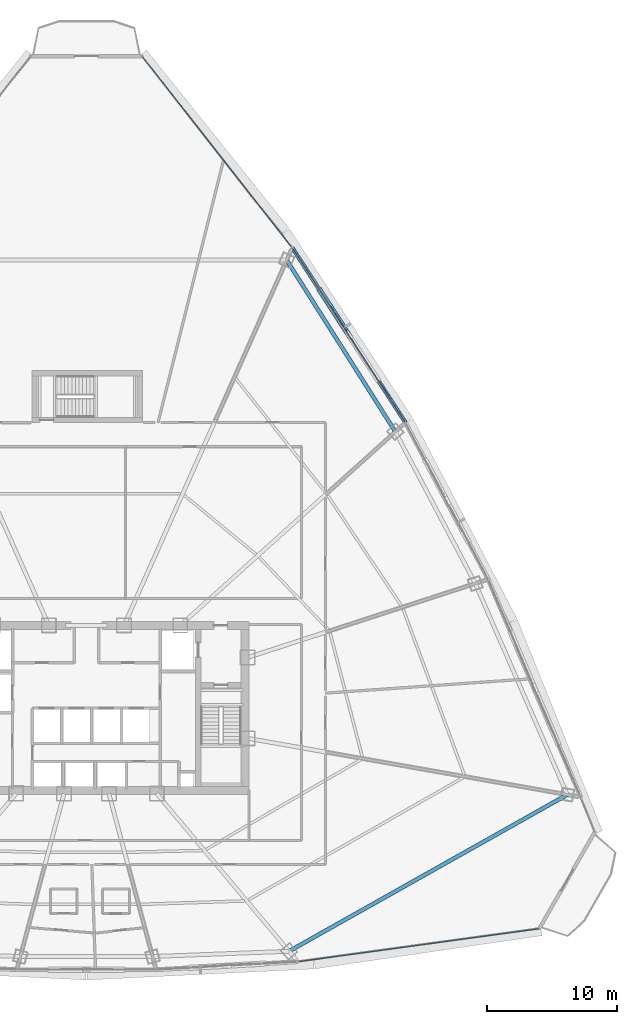
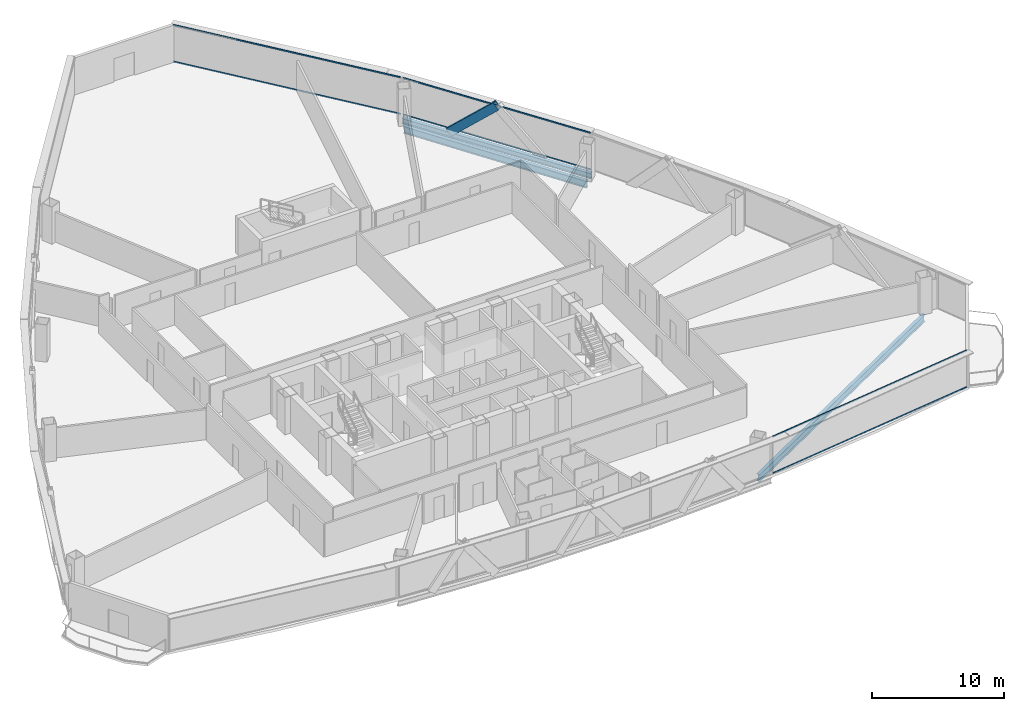
# One storey, part 23 of 39: 7 members, 3 beams, 3 elements without a shape of their own.
"""IFC4 building model written with IfcOpenShell, lengths in metres."""

from ifc_helpers import new_model, si_unit, direction, frame, origin, origin_2d, place, context, subcontext, project, spatial, hollow_rectangle, i_section, extrude, source, transform, mapped, material, layer, layer_set, material_profile, profile_set, type_object, element, aggregate, save


model = new_model("IFC4")

# Units and contexts
model_context = context("Model", 3, precision=1e-05, world=origin(), true_north=direction((0.0, 1.0)))
body_context = subcontext(model_context, "Body", "Model", "MODEL_VIEW")
ifc_project = project(units=[si_unit("LENGTHUNIT", "METRE"), si_unit("AREAUNIT", "SQUARE_METRE"), si_unit("VOLUMEUNIT", "CUBIC_METRE"), si_unit("PLANEANGLEUNIT", "RADIAN"), si_unit("MASSUNIT", "GRAM", prefix="KILO"), si_unit("THERMODYNAMICTEMPERATUREUNIT", "KELVIN"), si_unit("POWERUNIT", "WATT")], contexts=[model_context])

# Site, building, storey
site_placement = place(None, origin())
site = spatial("IfcSite", under=ifc_project, at=site_placement, CompositionType="ELEMENT")
building_placement = place(site_placement, origin())
building = spatial("IfcBuilding", under=site, at=building_placement, Name="Yunzhuo Pagoda Commons", CompositionType="ELEMENT")
storey_placement = place(building_placement, frame((0.0, 0.0, 162.949951171875)))
storey = spatial("IfcBuildingStorey", under=building, at=storey_placement, Name="L41", CompositionType="ELEMENT", Elevation=162.949951171875)

# Beams
ifc_material_1 = material(Name="Structural steel Q355B", Category="steel")
ifc_material_profile_1 = material_profile(ifc_material_1, i_section(OverallWidth=0.300048828125, OverallDepth=0.64990234375, WebThickness=0.012939453125, FlangeThickness=0.02197265625, at=origin_2d()), Name="Structural steel Q355B")
ifc_profile_set_1 = profile_set([ifc_material_profile_1], Name="Structural steel Q355B")
beam_type_1 = type_object("IfcBeamType", Name="B-RG2 Beam HN 650x300x13x22", PredefinedType="BEAM", material=ifc_profile_set_1)
shared_shape_1 = source(origin(), body_context, "Body", "SweptSolid", [
    extrude(i_section(OverallWidth=0.300048828125, OverallDepth=0.64990234375, WebThickness=0.012939453125, FlangeThickness=0.02197265625, at=origin_2d()), origin(), (0.0, 0.0, 1.0), 24.56982421875),
])
beam_1_placement = place(storey_placement, frame((63.585205078125, 15.126220703125, -0.5849609375), z_axis=(0.871469103633, 0.490450406681, 0.0), x_axis=(-0.490450406681, 0.871469103633, 0.0)))
element("IfcBeam", 1, at=beam_1_placement, inside=storey, type_object=beam_type_1, Name="L41 column-ring beam 4", PredefinedType="BEAM", context=body_context, shape_type="MappedRepresentation", body=[
    mapped(shared_shape_1, transform((0.0, 0.0, 0.0), scale=1.0)),
])
shared_shape_2 = source(origin(), body_context, "Body", "SweptSolid", [
    extrude(i_section(OverallWidth=0.300048828125, OverallDepth=0.64990234375, WebThickness=0.012939453125, FlangeThickness=0.02197265625, at=origin_2d()), origin(), (0.0, 0.0, 1.0), 15.627685546875),
])
beam_2_placement = place(storey_placement, frame((71.76611328125, 55.09912109375, -0.5849609375), z_axis=(-0.534952471728, 0.844882153316, 0.0), x_axis=(-0.844882153316, -0.534952471728, 0.0)))
element("IfcBeam", 2, at=beam_2_placement, inside=storey, type_object=beam_type_1, Name="L41 column-ring beam 7", PredefinedType="BEAM", context=body_context, shape_type="MappedRepresentation", body=[
    mapped(shared_shape_2, transform((0.0, 0.0, 0.0), scale=1.0)),
])
ifc_material_profile_2 = material_profile(ifc_material_1, i_section(OverallWidth=0.300048828125, OverallDepth=0.488037109375, WebThickness=0.010986328125, FlangeThickness=0.01806640625, at=origin_2d()), Name="Structural steel Q355B")
ifc_profile_set_2 = profile_set([ifc_material_profile_2], Name="Structural steel Q355B")
beam_type_2 = type_object("IfcBeamType", Name="B-SP1 Beam HM 488x300x11x18", PredefinedType="BEAM", material=ifc_profile_set_2)
shared_shape_3 = source(origin(), body_context, "Body", "SweptSolid", [
    extrude(i_section(OverallWidth=0.300048828125, OverallDepth=0.488037109375, WebThickness=0.010986328125, FlangeThickness=0.01806640625, at=origin_2d()), origin(), (0.0, 0.0, 1.0), 16.0341796875),
])
beam_3_placement = place(storey_placement, frame((72.54638671875, 55.8017578125, -0.50390625), z_axis=(-0.543409101482, 0.83946801513, 0.0), x_axis=(-0.83946801513, -0.543409101482, 0.0)))
element("IfcBeam", 3, at=beam_3_placement, inside=storey, type_object=beam_type_2, Name="L41 facade edge spandrel beam F2.3", PredefinedType="BEAM", context=body_context, shape_type="MappedRepresentation", body=[
    mapped(shared_shape_3, transform((0.0, 0.0, 0.0), scale=1.0)),
])

# Member
ifc_material_profile_3 = material_profile(ifc_material_1, hollow_rectangle(XDim=0.39990234375, YDim=0.719970703125, WallThickness=0.02392578125, at=origin_2d()), Name="Structural steel Q355B")
ifc_profile_set_3 = profile_set([ifc_material_profile_3], Name="Structural steel Q355B")
member_type_1 = type_object("IfcMemberType", Name="M-DL2 Brace BOX 720x400x24", PredefinedType="BRACE", material=ifc_profile_set_3)
shared_shape_4 = source(origin(), body_context, "Body", "SweptSolid", [
    extrude(hollow_rectangle(XDim=0.39990234375, YDim=0.719970703125, WallThickness=0.02392578125, at=origin_2d()), origin(), (0.0, 0.0, 1.0), 5.44189453125),
])
member_1_placement = place(storey_placement, frame((66.011474609375, 65.89697265625, -0.260009765625), z_axis=(0.400276383082, -0.618405028514, 0.676279555994), x_axis=(0.839488448366, 0.543377534556, 0.0)))
element("IfcMember", 4, at=member_1_placement, inside=storey, type_object=member_type_1, Name="L41 facade diamond brace F2.3R", PredefinedType="BRACE", context=body_context, shape_type="MappedRepresentation", body=[
    mapped(shared_shape_4, transform((0.0, 0.0, 0.0), scale=1.0)),
])

# Curtain wall, members
ifc_material_2 = material(Name="Anodized aluminium 6063-T6", Category="aluminium")
ifc_layer = layer(ifc_material_2, 0.14990234375)
ifc_layer_set = layer_set([ifc_layer], Name="Anodized aluminium 6063-T6")
curtain_wall_type = type_object("IfcCurtainWallType", Name="CW-MID Mid-Zone Ribbon Curtain Wall", PredefinedType="NOTDEFINED", material=ifc_layer_set)
curtain_wall_1_placement = place(storey_placement, origin())
curtain_wall_1 = element("IfcCurtainWall", 5, at=curtain_wall_1_placement, inside=storey, type_object=curtain_wall_type, Name="L41 curtain wall CW-L41-F1B5", PredefinedType="NOTDEFINED")
ifc_material_profile_4 = material_profile(ifc_material_2, hollow_rectangle(XDim=0.054931640625, YDim=0.1298828125, WallThickness=0.00341796875, at=origin_2d()), Name="Anodized aluminium 6063-T6")
ifc_profile_set_4 = profile_set([ifc_material_profile_4], Name="Anodized aluminium 6063-T6")
member_type_2 = type_object("IfcMemberType", Name="CW-MID-T Transom RHS 130x55x3.5", PredefinedType="USERDEFINED", material=ifc_profile_set_4)
shared_shape_5 = source(origin(), body_context, "Body", "SweptSolid", [
    extrude(hollow_rectangle(XDim=0.054931640625, YDim=0.1298828125, WallThickness=0.00341796875, at=origin_2d()), origin(), (0.0, 0.0, 1.0), 18.559814453125),
])
member_2_placement = place(storey_placement, frame((64.393798828125, 14.34033203125, 0.027587890625), z_axis=(0.990741021936, 0.135765339663, 0.0), x_axis=(-0.135765339663, 0.990741021936, 0.0)))
member_2 = element("IfcMember", 6, at=member_2_placement, type_object=member_type_2, Name="CW transom 1.1", ObjectType="TRANSOM", PredefinedType="USERDEFINED", context=body_context, shape_type="MappedRepresentation", body=[
    mapped(shared_shape_5, transform((0.0, 0.0, 0.0), scale=1.0)),
])
member_3_placement = place(storey_placement, frame((64.393798828125, 14.34033203125, 3.392578125), z_axis=(0.990741021936, 0.135765339663, 0.0), x_axis=(-0.135765339663, 0.990741021936, 0.0)))
member_3 = element("IfcMember", 7, at=member_3_placement, type_object=member_type_2, Name="CW transom 1.2", ObjectType="TRANSOM", PredefinedType="USERDEFINED", context=body_context, shape_type="MappedRepresentation", body=[
    mapped(shared_shape_5, transform((0.0, 0.0, 0.0), scale=1.0)),
])
aggregate(curtain_wall_1, [member_2, member_3])

curtain_wall_2_placement = place(storey_placement, origin())
curtain_wall_2 = element("IfcCurtainWall", 8, at=curtain_wall_2_placement, inside=storey, type_object=curtain_wall_type, Name="L41 curtain wall CW-L41-F2B4", PredefinedType="NOTDEFINED")
shared_shape_6 = source(origin(), body_context, "Body", "SweptSolid", [
    extrude(hollow_rectangle(XDim=0.054931640625, YDim=0.1298828125, WallThickness=0.00341796875, at=origin_2d()), origin(), (0.0, 0.0, 1.0), 15.914306640625),
])
member_4_placement = place(storey_placement, frame((72.513916015625, 55.85205078125, 0.027587890625), z_axis=(-0.543423646974, 0.839458599283, 0.0), x_axis=(-0.839458599283, -0.543423646974, 0.0)))
member_4 = element("IfcMember", 9, at=member_4_placement, type_object=member_type_2, Name="CW transom 1.1", ObjectType="TRANSOM", PredefinedType="USERDEFINED", context=body_context, shape_type="MappedRepresentation", body=[
    mapped(shared_shape_6, transform((0.0, 0.0, 0.0), scale=1.0)),
])
member_5_placement = place(storey_placement, frame((72.513916015625, 55.85205078125, 3.392578125), z_axis=(-0.543423646974, 0.839458599283, 0.0), x_axis=(-0.839458599283, -0.543423646974, 0.0)))
member_5 = element("IfcMember", 10, at=member_5_placement, type_object=member_type_2, Name="CW transom 1.2", ObjectType="TRANSOM", PredefinedType="USERDEFINED", context=body_context, shape_type="MappedRepresentation", body=[
    mapped(shared_shape_6, transform((0.0, 0.0, 0.0), scale=1.0)),
])
aggregate(curtain_wall_2, [member_4, member_5])

curtain_wall_3_placement = place(storey_placement, origin())
curtain_wall_3 = element("IfcCurtainWall", 11, at=curtain_wall_3_placement, inside=storey, type_object=curtain_wall_type, Name="L41 curtain wall CW-L41-F2B5", PredefinedType="NOTDEFINED")
shared_shape_7 = source(origin(), body_context, "Body", "SweptSolid", [
    extrude(hollow_rectangle(XDim=0.054931640625, YDim=0.1298828125, WallThickness=0.00341796875, at=origin_2d()), origin(), (0.0, 0.0, 1.0), 18.532470703125),
])
member_6_placement = place(storey_placement, frame((63.749755859375, 69.3681640625, 0.027587890625), z_axis=(-0.617131299071, 0.786860190699, 0.0), x_axis=(-0.786860190699, -0.617131299071, 0.0)))
member_6 = element("IfcMember", 12, at=member_6_placement, type_object=member_type_2, Name="CW transom 1.1", ObjectType="TRANSOM", PredefinedType="USERDEFINED", context=body_context, shape_type="MappedRepresentation", body=[
    mapped(shared_shape_7, transform((0.0, 0.0, 0.0), scale=1.0)),
])
member_7_placement = place(storey_placement, frame((63.749755859375, 69.3681640625, 3.392578125), z_axis=(-0.617131299071, 0.786860190699, 0.0), x_axis=(-0.786860190699, -0.617131299071, 0.0)))
member_7 = element("IfcMember", 13, at=member_7_placement, type_object=member_type_2, Name="CW transom 1.2", ObjectType="TRANSOM", PredefinedType="USERDEFINED", context=body_context, shape_type="MappedRepresentation", body=[
    mapped(shared_shape_7, transform((0.0, 0.0, 0.0), scale=1.0)),
])
aggregate(curtain_wall_3, [member_6, member_7])

save(model, "model.ifc")
